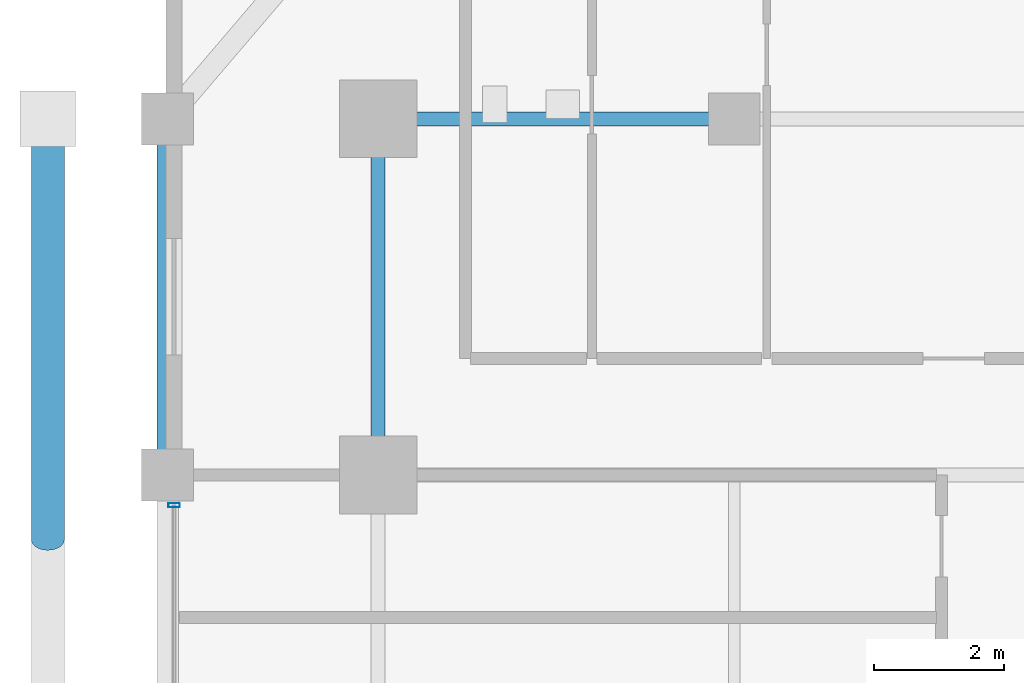
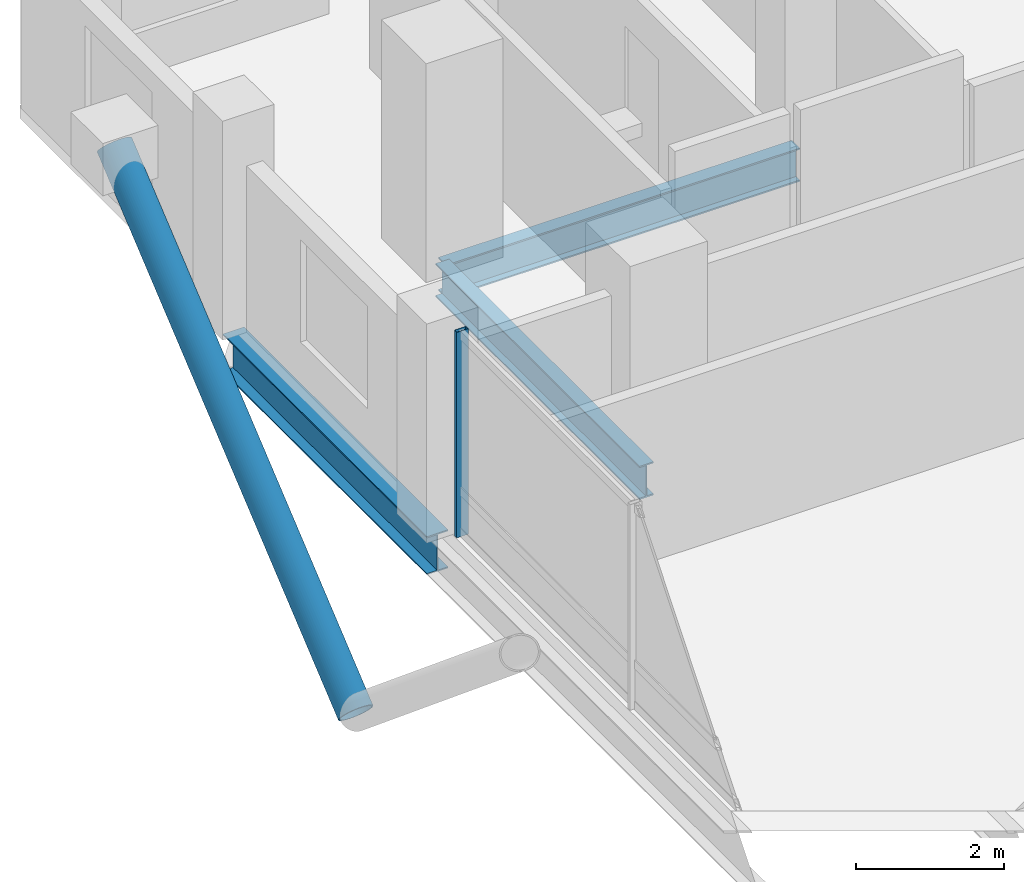
# One storey, part 11 of 22: 3 beams, 2 members, 1 element without a shape of its own.
"""IFC4 building model written with IfcOpenShell, lengths in metres."""

from ifc_helpers import new_model, si_unit, direction, frame, origin, origin_2d, place, context, subcontext, project, spatial, hollow_rectangle, hollow_circle, i_section, extrude, material, layer, layer_set, material_profile, profile_set, type_object, element, aggregate, save


model = new_model("IFC4")

# Units and contexts
model_context = context("Model", 3, precision=1e-05, world=origin(), true_north=direction((0.0, 1.0)))
body_context = subcontext(model_context, "Body", "Model", "MODEL_VIEW")
ifc_project = project(units=[si_unit("LENGTHUNIT", "METRE"), si_unit("AREAUNIT", "SQUARE_METRE"), si_unit("VOLUMEUNIT", "CUBIC_METRE"), si_unit("PLANEANGLEUNIT", "RADIAN"), si_unit("MASSUNIT", "GRAM", prefix="KILO")], contexts=[model_context])

# Site, building, storey
site_placement = place(None, origin())
site = spatial("IfcSite", under=ifc_project, at=site_placement, CompositionType="ELEMENT")
building_placement = place(site_placement, origin())
building = spatial("IfcBuilding", under=site, at=building_placement, Name="Barlavira Tower and Art Museum", CompositionType="ELEMENT")
storey_placement = place(building_placement, frame((0.0, 0.0, 106.199951171875)))
storey = spatial("IfcBuildingStorey", under=building, at=storey_placement, Name="L26", CompositionType="ELEMENT", Elevation=106.199951171875)

# Curtain wall, member
ifc_material_1 = material(Name="Low-iron coastal laminated glass", Category="glass")
ifc_layer = layer(ifc_material_1, 0.18994140625, Name="Low-iron coastal laminated glass")
ifc_layer_set = layer_set([ifc_layer], Name="Low-iron coastal laminated glass")
curtain_wall_type = type_object("IfcCurtainWallType", Name="Pale-Metal Unitised Curtain Wall Zone 2", PredefinedType="NOTDEFINED", material=ifc_layer_set)
curtain_wall_placement = place(storey_placement, origin())
curtain_wall = element("IfcCurtainWall", 1, at=curtain_wall_placement, inside=storey, type_object=curtain_wall_type, Name="L26 Curtain Wall CW2-L26-W-B3", PredefinedType="NOTDEFINED")
ifc_material_2 = material(Name="Pale anodised aluminium", Category="aluminium")
ifc_material_profile_1 = material_profile(ifc_material_2, hollow_rectangle(XDim=0.06494140625, YDim=0.179931640625, WallThickness=0.00390625, at=origin_2d()), Name="ALU-MULL 65x180x4")
ifc_profile_set_1 = profile_set([ifc_material_profile_1], Name="Pale anodised aluminium")
member_type_1 = type_object("IfcMemberType", Name="Curtain Wall Pale-Metal Mullion 65x180", PredefinedType="MULLION", material=ifc_profile_set_1)
member_1_placement = place(storey_placement, frame((-20.14990234375, 7.034912109375, 0.0), z_axis=(0.0, 0.0, 1.0), x_axis=(0.0, -1.0, 0.0)))
member_1 = element("IfcMember", 2, at=member_1_placement, type_object=member_type_1, Name="CW2-L26-W-B3 Mullion 0", PredefinedType="MULLION", context=body_context, shape_type="SweptSolid", body=[
    extrude(hollow_rectangle(XDim=0.06494140625, YDim=0.179931640625, WallThickness=0.00390625, at=origin_2d()), origin(), (0.0, 0.0, 1.0), 3.380126953125),
])
aggregate(curtain_wall, [member_1])

# Member
ifc_material_3 = material(Name="Steel S355", Category="steel")
ifc_material_profile_2 = material_profile(ifc_material_3, hollow_circle(Radius=0.25390625, WallThickness=0.022216796875, at=origin_2d()), Name="CHS 508.0x22.2")
ifc_profile_set_2 = profile_set([ifc_material_profile_2], Name="Steel S355")
member_type_2 = type_object("IfcMemberType", Name="Pale-Metal Exoskeleton Diagrid Tube CHS 508x22 Steel S355", PredefinedType="BRACE", material=ifc_profile_set_2)
member_2_placement = place(storey_placement, frame((-22.10009765625, 6.5, -1.919921875), z_axis=(0.0, 0.769196053329, 0.639012857104), x_axis=(-1.0, 0.0, 0.0)))
element("IfcMember", 3, at=member_2_placement, inside=storey, type_object=member_type_2, Name="L26 Exoskeleton Diagrid Tube W", PredefinedType="BRACE", context=body_context, shape_type="SweptSolid", body=[
    extrude(hollow_circle(Radius=0.25390625, WallThickness=0.022216796875, at=origin_2d()), origin(), (0.0, 0.0, 1.0), 8.450439453125),
])

# Beams
ifc_material_profile_3 = material_profile(ifc_material_3, i_section(OverallWidth=0.327880859375, OverallDepth=0.62890625, WebThickness=0.013916015625, FlangeThickness=0.021484375, at=origin_2d()), Name="W610x174.0")
ifc_profile_set_3 = profile_set([ifc_material_profile_3], Name="Steel S355")
beam_type_1 = type_object("IfcBeamType", Name="Perimeter Spandrel Edge Beam W610x174 Steel S355", PredefinedType="SPANDREL", material=ifc_profile_set_3)
beam_placement = place(storey_placement, frame((-20.25, 7.5, -0.534423828125), z_axis=(0.0, 1.0, 0.0), x_axis=(-1.0, 0.0, 0.0)))
element("IfcBeam", 4, at=beam_placement, inside=storey, type_object=beam_type_1, Name="L26 Spandrel 13", PredefinedType="SPANDREL", context=body_context, shape_type="SweptSolid", body=[
    extrude(i_section(OverallWidth=0.327880859375, OverallDepth=0.62890625, WebThickness=0.013916015625, FlangeThickness=0.021484375, at=origin_2d()), origin(), (0.0, 0.0, 1.0), 5.5),
])
ifc_material_profile_4 = material_profile(ifc_material_3, i_section(OverallWidth=0.214111328125, OverallDepth=0.549072265625, WebThickness=0.0146484375, FlangeThickness=0.023681640625, at=origin_2d()), Name="W530x138.0")
ifc_profile_set_4 = profile_set([ifc_material_profile_4], Name="Steel S355")
beam_type_2 = type_object("IfcBeamType", Name="Zone 1 Primary Floor Girder W530x138 Steel S355", PredefinedType="BEAM", material=ifc_profile_set_4)
for number, where, z_axis, x_axis, name in (
    (5, (-17.0, 7.5, -0.494384765625), (0.0, 1.0, 0.0), (-1.0, 0.0, 0.0), "L26 Girder M-W3"),
    (6, (-17.0, 13.0, -0.494384765625), (1.0, 0.0, 0.0), (0.0, 1.0, 0.0), "L26 Girder I-N1"),
):
    element("IfcBeam", number, at=place(storey_placement, frame(where, z_axis=z_axis, x_axis=x_axis)), inside=storey, type_object=beam_type_2, Name=name, PredefinedType="BEAM", context=body_context, shape_type="SweptSolid", body=[
        extrude(i_section(OverallWidth=0.214111328125, OverallDepth=0.549072265625, WebThickness=0.0146484375, FlangeThickness=0.023681640625, at=origin_2d()), origin(), (0.0, 0.0, 1.0), 5.5),
    ])

save(model, "model.ifc")
